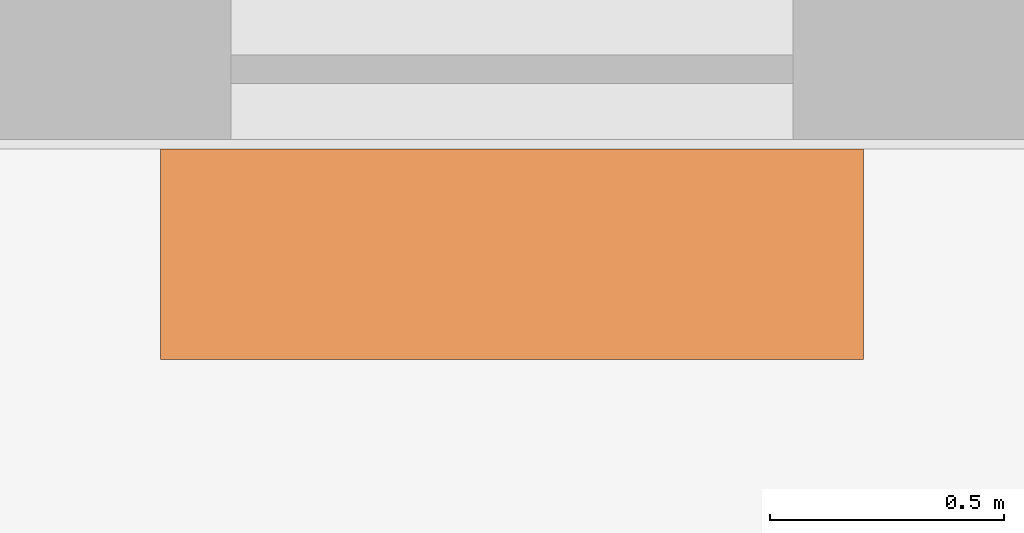
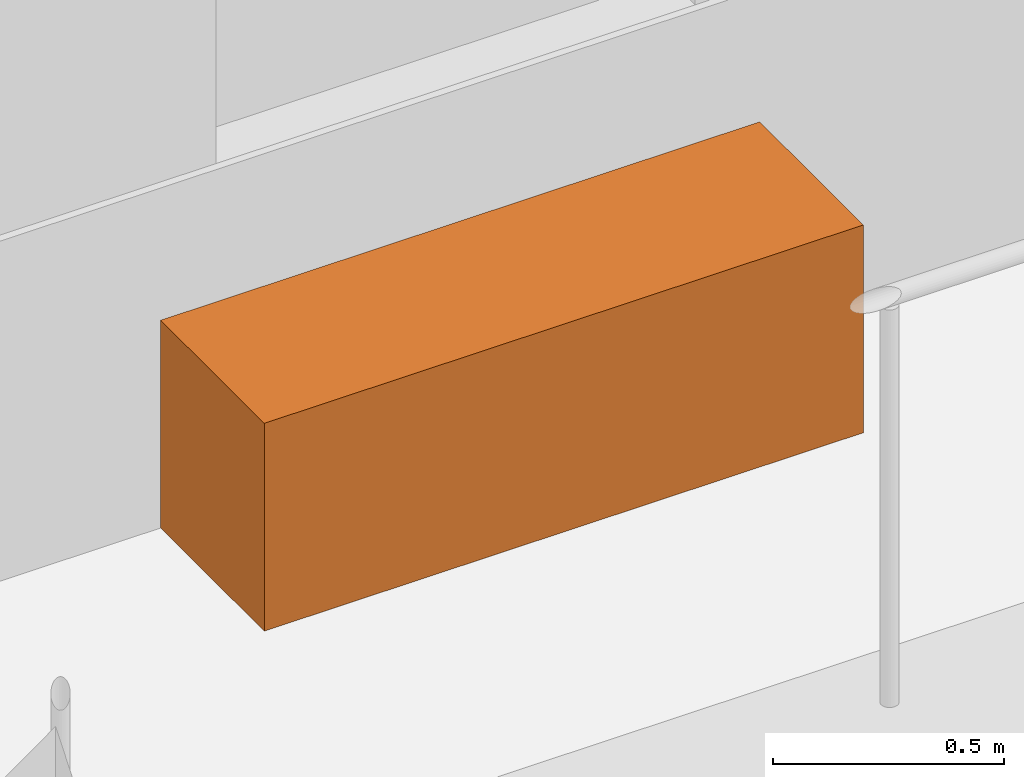
# One storey, part 13 of 13: 1 proxy.
"""IFC4 building model written with IfcOpenShell, lengths in metres."""

from ifc_helpers import new_model, si_unit, direction, frame, origin, origin_2d, place, context, subcontext, project, spatial, rectangle, extrude, element, save


model = new_model("IFC4")

# Units and contexts
model_context = context("Model", 3, precision=1e-05, world=origin(), true_north=direction((0.0, 1.0)))
body_context = subcontext(model_context, "Body", "Model", "MODEL_VIEW")
ifc_project = project(units=[si_unit("LENGTHUNIT", "METRE"), si_unit("AREAUNIT", "SQUARE_METRE"), si_unit("VOLUMEUNIT", "CUBIC_METRE"), si_unit("PLANEANGLEUNIT", "RADIAN"), si_unit("MASSUNIT", "GRAM", prefix="KILO")], contexts=[model_context])

# Site, building, storey
site_placement = place(None, origin())
site = spatial("IfcSite", under=ifc_project, at=site_placement, CompositionType="ELEMENT")
building_placement = place(site_placement, origin())
building = spatial("IfcBuilding", under=site, at=building_placement, Name="Candeia Pilgrim Tower and Theatre", CompositionType="ELEMENT")
storey_placement = place(building_placement, frame((0.0, 0.0, 155.199951171875)))
storey = spatial("IfcBuildingStorey", under=building, at=storey_placement, Name="L36", CompositionType="ELEMENT", Elevation=155.199951171875)

# Proxy
proxy_placement = place(storey_placement, frame((102.89990234375, 99.2548828125, 0.0), z_axis=(0.0, 0.0, 1.0), x_axis=(1.0, 0.0, 0.0)))
element("IfcBuildingElementProxy", 1, at=proxy_placement, inside=storey, Name="Planter", ObjectType="PLANTER", PredefinedType="USERDEFINED", context=body_context, shape_type="SweptSolid", body=[
    extrude(rectangle(XDim=1.5, YDim=0.449951171875, at=origin_2d()), origin(), (0.0, 0.0, 1.0), 0.550048828125),
])

save(model, "model.ifc")
